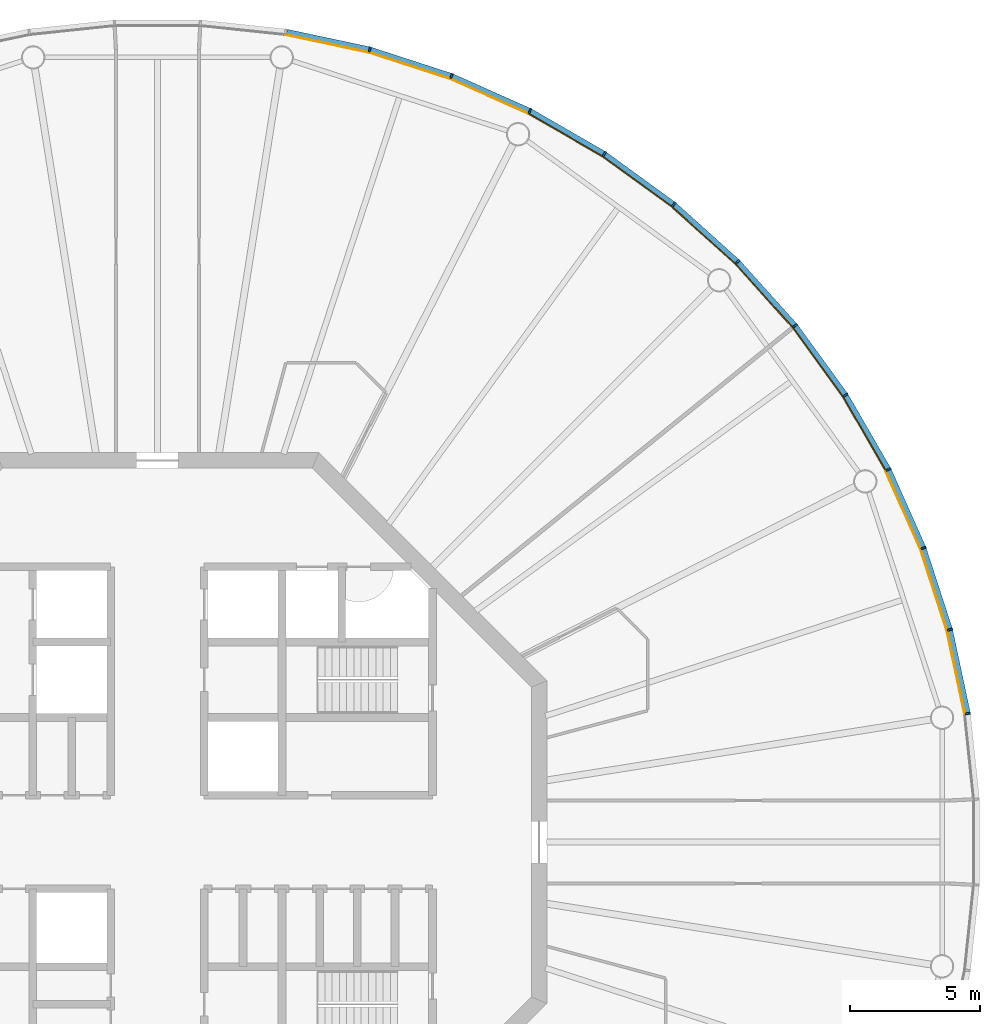
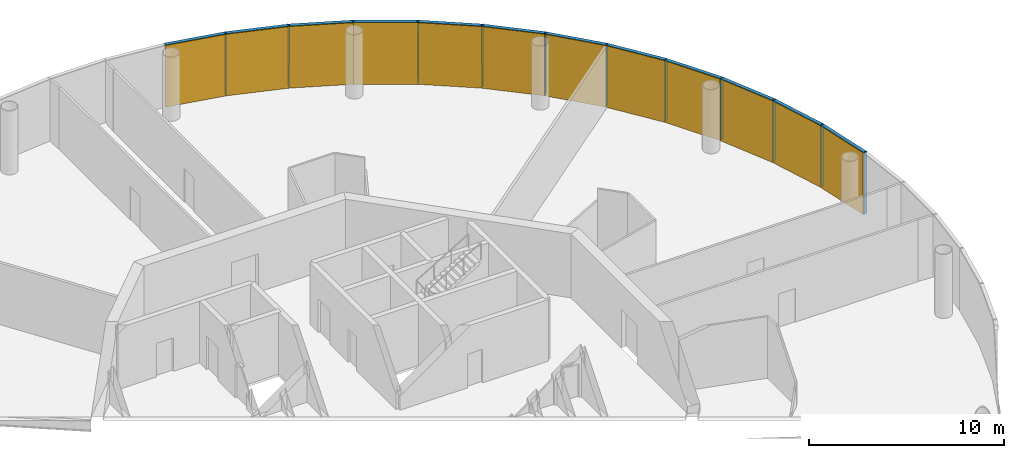
# One storey, part 12 of 13: 24 members, 4 curtain walls.
"""IFC4 building model written with IfcOpenShell, lengths in metres."""

from ifc_helpers import new_model, si_unit, direction, frame, origin, origin_2d, place, context, subcontext, project, spatial, polyline, rectangle, outline, extrude, material, layer, layer_set, material_profile, profile_set, type_object, element, aggregate, save


model = new_model("IFC4")

# Units and contexts
model_context = context("Model", 3, precision=1e-05, world=origin(), true_north=direction((0.0, 1.0)))
body_context = subcontext(model_context, "Body", "Model", "MODEL_VIEW")
ifc_project = project(units=[si_unit("LENGTHUNIT", "METRE"), si_unit("AREAUNIT", "SQUARE_METRE"), si_unit("VOLUMEUNIT", "CUBIC_METRE"), si_unit("PLANEANGLEUNIT", "RADIAN"), si_unit("MASSUNIT", "GRAM", prefix="KILO")], contexts=[model_context])

# Member
ifc_material_1 = material(Name="Anodised aluminium", Category="aluminium")
ifc_material_profile_1 = material_profile(ifc_material_1, rectangle(XDim=0.070068359375, YDim=0.205078125, at=origin_2d()), Name="Mullion 70 x 205 mm anodised aluminium")
ifc_profile_set_1 = profile_set([ifc_material_profile_1], Name="Anodised aluminium")
member_type_1 = type_object("IfcMemberType", Name="Mullion 70 x 205 mm anodised aluminium", PredefinedType="MULLION", material=ifc_profile_set_1)
site_placement = place(None, origin())
building_placement = place(site_placement, origin())
storey_placement = place(building_placement, frame((0.0, 0.0, 344.0)))
member_1_placement = place(storey_placement, frame((121.21337890625, 84.943603515625, 0.0), z_axis=(0.0, 0.0, 1.0), x_axis=(-0.15643446504, 0.987688340595, 0.0)))
member_1 = element("IfcMember", 1, at=member_1_placement, type_object=member_type_1, Name="MULLION L79-00", PredefinedType="MULLION", context=body_context, shape_type="SweptSolid", body=[
    extrude(rectangle(XDim=0.070068359375, YDim=0.205078125, at=origin_2d()), origin(), (0.0, 0.0, 1.0), 3.85009765625),
])

member_2_placement = place(storey_placement, frame((120.525634765625, 88.179443359375, 0.0), z_axis=(0.0, 0.0, 1.0), x_axis=(-0.258819045103, 0.965925826289, 0.0)))
member_2 = element("IfcMember", 2, at=member_2_placement, type_object=member_type_1, Name="MULLION L79-01", PredefinedType="MULLION", context=body_context, shape_type="SweptSolid", body=[
    extrude(rectangle(XDim=0.070068359375, YDim=0.205078125, at=origin_2d()), origin(), (0.0, 0.0, 1.0), 3.85009765625),
])

member_3_placement = place(storey_placement, frame((119.50341796875, 91.325439453125, 0.0), z_axis=(0.0, 0.0, 1.0), x_axis=(-0.358367949545, 0.933580426497, 0.0)))
member_3 = element("IfcMember", 3, at=member_3_placement, type_object=member_type_1, Name="MULLION L79-02", PredefinedType="MULLION", context=body_context, shape_type="SweptSolid", body=[
    extrude(rectangle(XDim=0.070068359375, YDim=0.205078125, at=origin_2d()), origin(), (0.0, 0.0, 1.0), 3.85009765625),
])

member_4_placement = place(storey_placement, frame((118.157958984375, 94.34716796875, 0.0), z_axis=(0.0, 0.0, 1.0), x_axis=(-0.45399049974, 0.891006524188, 0.0)))
member_4 = element("IfcMember", 4, at=member_4_placement, type_object=member_type_1, Name="MULLION L79-03", PredefinedType="MULLION", context=body_context, shape_type="SweptSolid", body=[
    extrude(rectangle(XDim=0.070068359375, YDim=0.205078125, at=origin_2d()), origin(), (0.0, 0.0, 1.0), 3.85009765625),
])

member_5_placement = place(storey_placement, frame((116.504150390625, 97.2119140625, 0.0), z_axis=(0.0, 0.0, 1.0), x_axis=(-0.544639035015, 0.838670567945, 0.0)))
member_5 = element("IfcMember", 5, at=member_5_placement, type_object=member_type_1, Name="MULLION L79-04", PredefinedType="MULLION", context=body_context, shape_type="SweptSolid", body=[
    extrude(rectangle(XDim=0.070068359375, YDim=0.205078125, at=origin_2d()), origin(), (0.0, 0.0, 1.0), 3.85009765625),
])

member_6_placement = place(storey_placement, frame((114.559814453125, 99.88818359375, 0.0), z_axis=(0.0, 0.0, 1.0), x_axis=(-0.62932039105, 0.777145961457, 0.0)))
member_6 = element("IfcMember", 6, at=member_6_placement, type_object=member_type_1, Name="MULLION L79-05", PredefinedType="MULLION", context=body_context, shape_type="SweptSolid", body=[
    extrude(rectangle(XDim=0.070068359375, YDim=0.205078125, at=origin_2d()), origin(), (0.0, 0.0, 1.0), 3.85009765625),
])

member_7_placement = place(storey_placement, frame((112.346435546875, 102.346435546875, 0.0), z_axis=(0.0, 0.0, 1.0), x_axis=(-0.707106781187, 0.707106781187, 0.0)))
member_7 = element("IfcMember", 7, at=member_7_placement, type_object=member_type_1, Name="MULLION L79-06", PredefinedType="MULLION", context=body_context, shape_type="SweptSolid", body=[
    extrude(rectangle(XDim=0.070068359375, YDim=0.205078125, at=origin_2d()), origin(), (0.0, 0.0, 1.0), 3.85009765625),
])

member_8_placement = place(storey_placement, frame((109.88818359375, 104.559814453125, 0.0), z_axis=(0.0, 0.0, 1.0), x_axis=(-0.777145961457, 0.62932039105, 0.0)))
member_8 = element("IfcMember", 8, at=member_8_placement, type_object=member_type_1, Name="MULLION L79-07", PredefinedType="MULLION", context=body_context, shape_type="SweptSolid", body=[
    extrude(rectangle(XDim=0.070068359375, YDim=0.205078125, at=origin_2d()), origin(), (0.0, 0.0, 1.0), 3.85009765625),
])

member_9_placement = place(storey_placement, frame((107.2119140625, 106.504150390625, 0.0), z_axis=(0.0, 0.0, 1.0), x_axis=(-0.838670567945, 0.544639035015, 0.0)))
member_9 = element("IfcMember", 9, at=member_9_placement, type_object=member_type_1, Name="MULLION L79-08", PredefinedType="MULLION", context=body_context, shape_type="SweptSolid", body=[
    extrude(rectangle(XDim=0.070068359375, YDim=0.205078125, at=origin_2d()), origin(), (0.0, 0.0, 1.0), 3.85009765625),
])

member_10_placement = place(storey_placement, frame((104.34716796875, 108.157958984375, 0.0), z_axis=(0.0, 0.0, 1.0), x_axis=(-0.891006524188, 0.45399049974, 0.0)))
member_10 = element("IfcMember", 10, at=member_10_placement, type_object=member_type_1, Name="MULLION L79-09", PredefinedType="MULLION", context=body_context, shape_type="SweptSolid", body=[
    extrude(rectangle(XDim=0.070068359375, YDim=0.205078125, at=origin_2d()), origin(), (0.0, 0.0, 1.0), 3.85009765625),
])

member_11_placement = place(storey_placement, frame((101.325439453125, 109.50341796875, 0.0), z_axis=(0.0, 0.0, 1.0), x_axis=(-0.933580426497, 0.358367949545, 0.0)))
member_11 = element("IfcMember", 11, at=member_11_placement, type_object=member_type_1, Name="MULLION L79-10", PredefinedType="MULLION", context=body_context, shape_type="SweptSolid", body=[
    extrude(rectangle(XDim=0.070068359375, YDim=0.205078125, at=origin_2d()), origin(), (0.0, 0.0, 1.0), 3.85009765625),
])

member_12_placement = place(storey_placement, frame((98.179443359375, 110.525634765625, 0.0), z_axis=(0.0, 0.0, 1.0), x_axis=(-0.965925826289, 0.258819045103, 0.0)))
member_12 = element("IfcMember", 12, at=member_12_placement, type_object=member_type_1, Name="MULLION L79-11", PredefinedType="MULLION", context=body_context, shape_type="SweptSolid", body=[
    extrude(rectangle(XDim=0.070068359375, YDim=0.205078125, at=origin_2d()), origin(), (0.0, 0.0, 1.0), 3.85009765625),
])

ifc_material_2 = material(Name="Anodised aluminium", Category="aluminium")
ifc_material_profile_2 = material_profile(ifc_material_2, rectangle(XDim=0.205078125, YDim=0.195068359375, at=origin_2d()), Name="Transom 195 x 205 mm anodised aluminium")
ifc_profile_set_2 = profile_set([ifc_material_profile_2], Name="Anodised aluminium")
member_type_2 = type_object("IfcMemberType", Name="Transom 195 x 205 mm anodised aluminium", PredefinedType="USERDEFINED", material=ifc_profile_set_2)
member_13_placement = place(storey_placement, frame((121.205078125, 84.983154296875, 3.75244140625), z_axis=(-0.207885898771, 0.978153082647, 0.0), x_axis=(-0.978153082647, -0.207885898771, 0.0)))
member_13 = element("IfcMember", 13, at=member_13_placement, type_object=member_type_2, Name="TRANSOM L79-00", ObjectType="TRANSOM", PredefinedType="USERDEFINED", context=body_context, shape_type="SweptSolid", body=[
    extrude(rectangle(XDim=0.205078125, YDim=0.195068359375, at=origin_2d()), origin(), (0.0, 0.0, 1.0), 3.227294921875),
])

member_14_placement = place(storey_placement, frame((120.513427734375, 88.2177734375, 3.75244140625), z_axis=(-0.309046726844, 0.951046855117, 0.0), x_axis=(-0.951046855117, -0.309046726844, 0.0)))
member_14 = element("IfcMember", 14, at=member_14_placement, type_object=member_type_2, Name="TRANSOM L79-01", ObjectType="TRANSOM", PredefinedType="USERDEFINED", context=body_context, shape_type="SweptSolid", body=[
    extrude(rectangle(XDim=0.205078125, YDim=0.195068359375, at=origin_2d()), origin(), (0.0, 0.0, 1.0), 3.22705078125),
])

member_15_placement = place(storey_placement, frame((119.4873046875, 91.3623046875, 3.75244140625), z_axis=(-0.406791170024, 0.913521178731, 0.0), x_axis=(-0.913521178731, -0.406791170024, 0.0)))
member_15 = element("IfcMember", 15, at=member_15_placement, type_object=member_type_2, Name="TRANSOM L79-02", ObjectType="TRANSOM", PredefinedType="USERDEFINED", context=body_context, shape_type="SweptSolid", body=[
    extrude(rectangle(XDim=0.205078125, YDim=0.195068359375, at=origin_2d()), origin(), (0.0, 0.0, 1.0), 3.22705078125),
])

member_16_placement = place(storey_placement, frame((118.137939453125, 94.38232421875, 3.75244140625), z_axis=(-0.500004055213, 0.866023062494, 0.0), x_axis=(-0.866023062494, -0.500004055213, 0.0)))
member_16 = element("IfcMember", 16, at=member_16_placement, type_object=member_type_2, Name="TRANSOM L79-03", ObjectType="TRANSOM", PredefinedType="USERDEFINED", context=body_context, shape_type="SweptSolid", body=[
    extrude(rectangle(XDim=0.205078125, YDim=0.195068359375, at=origin_2d()), origin(), (0.0, 0.0, 1.0), 3.22705078125),
])

member_17_placement = place(storey_placement, frame((116.48046875, 97.24462890625, 3.75244140625), z_axis=(-0.587802790201, 0.809004252048, 0.0), x_axis=(-0.809004252048, -0.587802790201, 0.0)))
member_17 = element("IfcMember", 17, at=member_17_placement, type_object=member_type_2, Name="TRANSOM L79-04", ObjectType="TRANSOM", PredefinedType="USERDEFINED", context=body_context, shape_type="SweptSolid", body=[
    extrude(rectangle(XDim=0.205078125, YDim=0.195068359375, at=origin_2d()), origin(), (0.0, 0.0, 1.0), 3.227294921875),
])

member_18_placement = place(storey_placement, frame((114.532958984375, 99.918212890625, 3.75244140625), z_axis=(-0.669144438484, 0.743132370743, 0.0), x_axis=(-0.743132370743, -0.669144438484, 0.0)))
member_18 = element("IfcMember", 18, at=member_18_placement, type_object=member_type_2, Name="TRANSOM L79-05", ObjectType="TRANSOM", PredefinedType="USERDEFINED", context=body_context, shape_type="SweptSolid", body=[
    extrude(rectangle(XDim=0.205078125, YDim=0.195068359375, at=origin_2d()), origin(), (0.0, 0.0, 1.0), 3.22705078125),
])

member_19_placement = place(storey_placement, frame((112.31640625, 102.37353515625, 3.75244140625), z_axis=(-0.743132370743, 0.669144438484, 0.0), x_axis=(-0.669144438484, -0.743132370743, 0.0)))
member_19 = element("IfcMember", 19, at=member_19_placement, type_object=member_type_2, Name="TRANSOM L79-06", ObjectType="TRANSOM", PredefinedType="USERDEFINED", context=body_context, shape_type="SweptSolid", body=[
    extrude(rectangle(XDim=0.205078125, YDim=0.195068359375, at=origin_2d()), origin(), (0.0, 0.0, 1.0), 3.22705078125),
])

member_20_placement = place(storey_placement, frame((109.85546875, 104.58349609375, 3.75244140625), z_axis=(-0.809004252048, 0.587802790201, 0.0), x_axis=(-0.587802790201, -0.809004252048, 0.0)))
member_20 = element("IfcMember", 20, at=member_20_placement, type_object=member_type_2, Name="TRANSOM L79-07", ObjectType="TRANSOM", PredefinedType="USERDEFINED", context=body_context, shape_type="SweptSolid", body=[
    extrude(rectangle(XDim=0.205078125, YDim=0.195068359375, at=origin_2d()), origin(), (0.0, 0.0, 1.0), 3.227294921875),
])

member_21_placement = place(storey_placement, frame((107.177001953125, 106.5244140625, 3.75244140625), z_axis=(-0.866023062494, 0.500004055213, 0.0), x_axis=(-0.500004055213, -0.866023062494, 0.0)))
member_21 = element("IfcMember", 21, at=member_21_placement, type_object=member_type_2, Name="TRANSOM L79-08", ObjectType="TRANSOM", PredefinedType="USERDEFINED", context=body_context, shape_type="SweptSolid", body=[
    extrude(rectangle(XDim=0.205078125, YDim=0.195068359375, at=origin_2d()), origin(), (0.0, 0.0, 1.0), 3.22705078125),
])

member_22_placement = place(storey_placement, frame((104.310302734375, 108.174560546875, 3.75244140625), z_axis=(-0.913521178731, 0.406791170024, 0.0), x_axis=(-0.406791170024, -0.913521178731, 0.0)))
member_22 = element("IfcMember", 22, at=member_22_placement, type_object=member_type_2, Name="TRANSOM L79-09", ObjectType="TRANSOM", PredefinedType="USERDEFINED", context=body_context, shape_type="SweptSolid", body=[
    extrude(rectangle(XDim=0.205078125, YDim=0.195068359375, at=origin_2d()), origin(), (0.0, 0.0, 1.0), 3.22705078125),
])

member_23_placement = place(storey_placement, frame((101.286865234375, 109.51611328125, 3.75244140625), z_axis=(-0.951046855117, 0.309046726844, 0.0), x_axis=(-0.309046726844, -0.951046855117, 0.0)))
member_23 = element("IfcMember", 23, at=member_23_placement, type_object=member_type_2, Name="TRANSOM L79-10", ObjectType="TRANSOM", PredefinedType="USERDEFINED", context=body_context, shape_type="SweptSolid", body=[
    extrude(rectangle(XDim=0.205078125, YDim=0.195068359375, at=origin_2d()), origin(), (0.0, 0.0, 1.0), 3.22705078125),
])

member_24_placement = place(storey_placement, frame((98.139892578125, 110.5341796875, 3.75244140625), z_axis=(-0.978153082647, 0.207885898771, 0.0), x_axis=(-0.207885898771, -0.978153082647, 0.0)))
member_24 = element("IfcMember", 24, at=member_24_placement, type_object=member_type_2, Name="TRANSOM L79-11", ObjectType="TRANSOM", PredefinedType="USERDEFINED", context=body_context, shape_type="SweptSolid", body=[
    extrude(rectangle(XDim=0.205078125, YDim=0.195068359375, at=origin_2d()), origin(), (0.0, 0.0, 1.0), 3.227294921875),
])

# Site, building, storey
site = spatial("IfcSite", under=ifc_project, at=site_placement, CompositionType="ELEMENT")
building = spatial("IfcBuilding", under=site, at=building_placement, Name="Entoto Ring Tower", CompositionType="ELEMENT")
storey = spatial("IfcBuildingStorey", under=building, at=storey_placement, Name="L79", CompositionType="ELEMENT", Elevation=344.0)

# Curtain wall
ifc_material_3 = material(Name="Clear low-iron glass", Category="glass")
ifc_layer = layer(ifc_material_3, 0.035888671875)
ifc_layer_set = layer_set([ifc_layer], Name="Clear low-iron glass")
curtain_wall_type = type_object("IfcCurtainWallType", Name="Curtain wall system CW6 glazing 36 mm", PredefinedType="NOTDEFINED", material=ifc_layer_set)
curtain_wall_1_placement = place(storey_placement, origin())
curtain_wall_1 = element("IfcCurtainWall", 25, at=curtain_wall_1_placement, inside=storey, type_object=curtain_wall_type, Name="CW6 L79-01", PredefinedType="NOTDEFINED", context=body_context, shape_type="SweptSolid", body=[
    extrude(outline(polyline([(121.1123046875, 84.927734375), (120.4267578125, 88.15283203125), (119.40771484375, 91.28857421875), (118.066650390625, 94.30078125), (118.03466796875, 94.284423828125), (119.3740234375, 91.275634765625), (120.391845703125, 88.1435546875), (121.07666015625, 84.922119140625), (121.1123046875, 84.927734375)])), origin(), (0.0, 0.0, 1.0), 3.85009765625),
])

aggregate(curtain_wall_1, [member_1, member_2, member_3, member_13, member_14, member_15])

curtain_wall_2_placement = place(storey_placement, origin())
curtain_wall_2 = element("IfcCurtainWall", 26, at=curtain_wall_2_placement, inside=storey, type_object=curtain_wall_type, Name="CW6 L79-02", PredefinedType="NOTDEFINED", context=body_context, shape_type="SweptSolid", body=[
    extrude(outline(polyline([(118.066650390625, 94.30078125), (116.418212890625, 97.15625), (114.47998046875, 99.823486328125), (112.27392578125, 102.27392578125), (112.248291015625, 102.248291015625), (114.4521484375, 99.801025390625), (116.387939453125, 97.136474609375), (118.03466796875, 94.284423828125), (118.066650390625, 94.30078125)])), origin(), (0.0, 0.0, 1.0), 3.85009765625),
])

aggregate(curtain_wall_2, [member_4, member_5, member_6, member_16, member_17, member_18])

curtain_wall_3_placement = place(storey_placement, origin())
curtain_wall_3 = element("IfcCurtainWall", 27, at=curtain_wall_3_placement, inside=storey, type_object=curtain_wall_type, Name="CW6 L79-03", PredefinedType="NOTDEFINED", context=body_context, shape_type="SweptSolid", body=[
    extrude(outline(polyline([(112.27392578125, 102.27392578125), (109.823486328125, 104.47998046875), (107.15625, 106.418212890625), (104.30078125, 108.066650390625), (104.284423828125, 108.03466796875), (107.136474609375, 106.387939453125), (109.801025390625, 104.4521484375), (112.248291015625, 102.248291015625), (112.27392578125, 102.27392578125)])), origin(), (0.0, 0.0, 1.0), 3.85009765625),
])

aggregate(curtain_wall_3, [member_7, member_8, member_9, member_19, member_20, member_21])

curtain_wall_4_placement = place(storey_placement, origin())
curtain_wall_4 = element("IfcCurtainWall", 28, at=curtain_wall_4_placement, inside=storey, type_object=curtain_wall_type, Name="CW6 L79-04", PredefinedType="NOTDEFINED", context=body_context, shape_type="SweptSolid", body=[
    extrude(outline(polyline([(104.30078125, 108.066650390625), (101.28857421875, 109.40771484375), (98.15283203125, 110.4267578125), (94.927734375, 111.1123046875), (94.922119140625, 111.07666015625), (98.1435546875, 110.391845703125), (101.275634765625, 109.3740234375), (104.284423828125, 108.03466796875), (104.30078125, 108.066650390625)])), origin(), (0.0, 0.0, 1.0), 3.85009765625),
])

aggregate(curtain_wall_4, [member_10, member_11, member_12, member_22, member_23, member_24])

save(model, "model.ifc")
